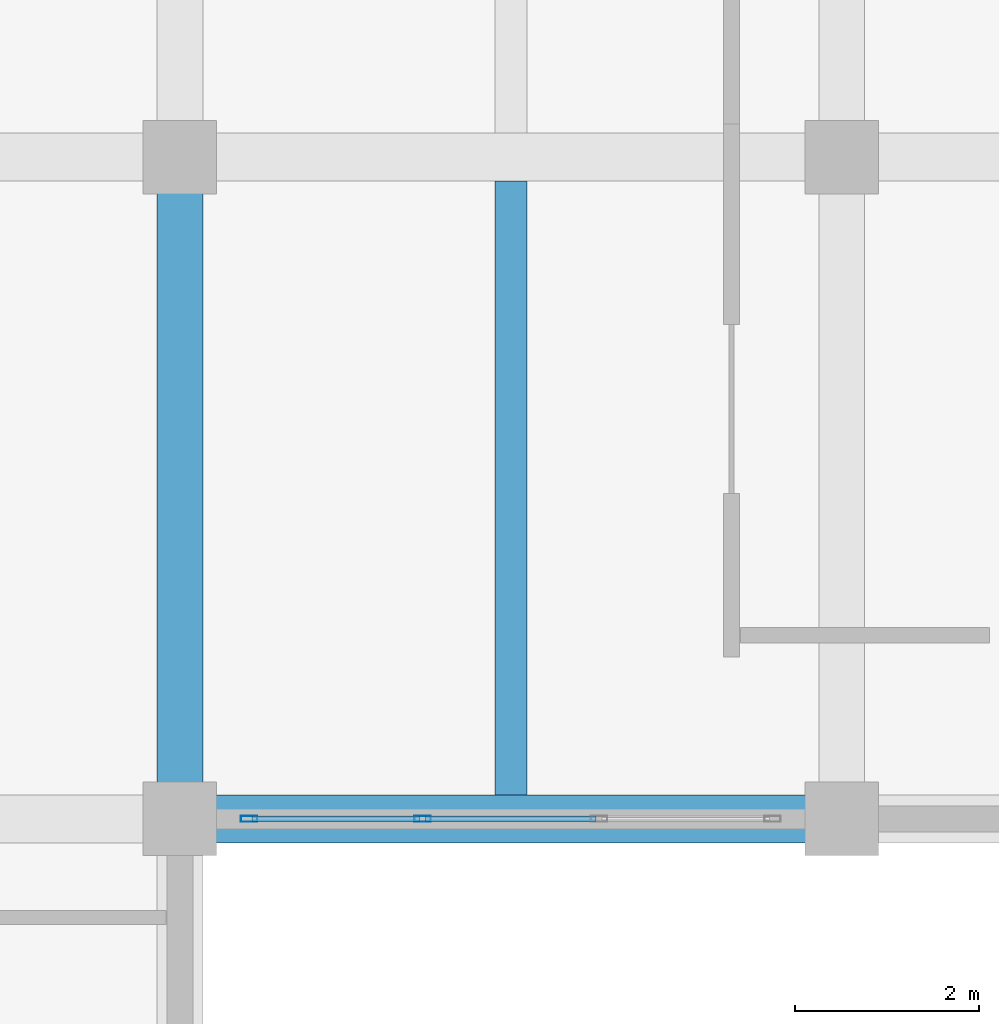
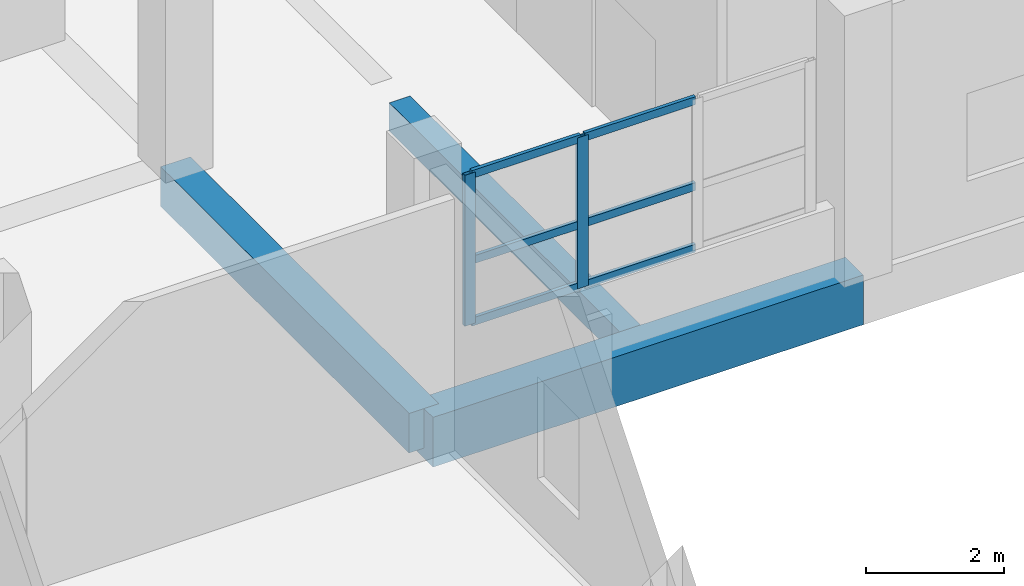
# One storey, part 62 of 140: 8 members, 3 beams, 1 element without a shape of its own.
"""IFC4 building model written with IfcOpenShell, lengths in metres."""

from ifc_helpers import new_model, si_unit, direction, frame, origin, origin_2d, place, context, subcontext, project, spatial, rectangle, hollow_rectangle, extrude, material, layer, layer_set, material_profile, profile_set, type_object, element, aggregate, save


model = new_model("IFC4")

# Units and contexts
model_context = context("Model", 3, precision=1e-05, world=origin(), true_north=direction((0.0, 1.0)))
body_context = subcontext(model_context, "Body", "Model", "MODEL_VIEW")
ifc_project = project(units=[si_unit("LENGTHUNIT", "METRE"), si_unit("AREAUNIT", "SQUARE_METRE"), si_unit("VOLUMEUNIT", "CUBIC_METRE"), si_unit("PLANEANGLEUNIT", "RADIAN"), si_unit("MASSUNIT", "GRAM", prefix="KILO")], contexts=[model_context])

# Site, building, storey
site_placement = place(None, origin())
site = spatial("IfcSite", under=ifc_project, at=site_placement, CompositionType="ELEMENT")
building_placement = place(site_placement, origin())
building = spatial("IfcBuilding", under=site, at=building_placement, Name="Seraya Terrace Polytechnic", CompositionType="ELEMENT")
storey_placement = place(building_placement, frame((0.0, 0.0, 9.60009765625)))
storey = spatial("IfcBuildingStorey", under=building, at=storey_placement, Name="L02", CompositionType="ELEMENT", Elevation=9.60009765625)

# Beams
ifc_material_1 = material(Name="Concrete C40/50", Category="concrete")
ifc_material_profile_1 = material_profile(ifc_material_1, rectangle(XDim=0.52001953125, YDim=0.8798828125, at=origin_2d()), Name="RC 520x880")
ifc_profile_set_1 = profile_set([ifc_material_profile_1], Name="Concrete C40/50")
beam_type_1 = type_object("IfcBeamType", Name="BM-04", PredefinedType="BEAM", material=ifc_profile_set_1)
beam_1_placement = place(storey_placement, frame((43.199951171875, 64.800048828125, -0.440185546875), z_axis=(1.0, 0.0, 0.0), x_axis=(0.0, 1.0, 0.0)))
element("IfcBeam", 1, at=beam_1_placement, inside=storey, type_object=beam_type_1, Name="Beam BM-04 L02 X (43.2..50.4, 64.8)", PredefinedType="BEAM", context=body_context, shape_type="SweptSolid", body=[
    extrude(rectangle(XDim=0.52001953125, YDim=0.8798828125, at=origin_2d()), origin(), (0.0, 0.0, 1.0), 7.199951171875),
])
ifc_material_profile_2 = material_profile(ifc_material_1, rectangle(XDim=0.5, YDim=0.699951171875, at=origin_2d()), Name="RC 500x700")
ifc_profile_set_2 = profile_set([ifc_material_profile_2], Name="Concrete C40/50")
beam_type_2 = type_object("IfcBeamType", Name="BM-07", PredefinedType="BEAM", material=ifc_profile_set_2)
beam_2_placement = place(storey_placement, frame((43.199951171875, 64.800048828125, -0.35009765625), z_axis=(0.0, 1.0, 0.0), x_axis=(-1.0, 0.0, 0.0)))
element("IfcBeam", 2, at=beam_2_placement, inside=storey, type_object=beam_type_2, Name="Beam BM-07 L02 Y (43.2, 64.8..72.0)", PredefinedType="BEAM", context=body_context, shape_type="SweptSolid", body=[
    extrude(rectangle(XDim=0.5, YDim=0.699951171875, at=origin_2d()), origin(), (0.0, 0.0, 1.0), 7.199951171875),
])

# Curtain wall, members
ifc_material_2 = material(Name="Anodised aluminium EN AW-6063 T6", Category="aluminium")
ifc_layer = layer(ifc_material_2, 0.179931640625, Name="CW-13")
ifc_layer_set = layer_set([ifc_layer], Name="Anodised aluminium EN AW-6063 T6")
curtain_wall_type = type_object("IfcCurtainWallType", Name="CW-13", PredefinedType="NOTDEFINED", material=ifc_layer_set)
curtain_wall_placement = place(storey_placement, origin())
curtain_wall = element("IfcCurtainWall", 3, at=curtain_wall_placement, inside=storey, type_object=curtain_wall_type, Name="Unitised curtain wall CW-13 (CW-L02-085)", PredefinedType="NOTDEFINED")
ifc_material_profile_3 = material_profile(ifc_material_2, hollow_rectangle(XDim=0.06494140625, YDim=0.179931640625, WallThickness=0.00390625, at=origin_2d()), Name="RHS 180x65x4.0")
ifc_profile_set_3 = profile_set([ifc_material_profile_3], Name="Anodised aluminium EN AW-6063 T6")
member_type_1 = type_object("IfcMemberType", Name="CWM-01", PredefinedType="MULLION", material=ifc_profile_set_3)
member_1_placement = place(storey_placement, frame((45.840087890625, 64.800048828125, 1.239990234375), z_axis=(0.0, 0.0, 1.0), x_axis=(0.0, -1.0, 0.0)))
member_1 = element("IfcMember", 4, at=member_1_placement, type_object=member_type_1, Name="CW-13 mullion 3", PredefinedType="MULLION", context=body_context, shape_type="SweptSolid", body=[
    extrude(hollow_rectangle(XDim=0.06494140625, YDim=0.179931640625, WallThickness=0.00390625, at=origin_2d()), origin(), (0.0, 0.0, 1.0), 2.669921875),
])
member_2_placement = place(storey_placement, frame((43.952392578125, 64.800048828125, 1.239990234375), z_axis=(0.0, 0.0, 1.0), x_axis=(0.0, -1.0, 0.0)))
member_2 = element("IfcMember", 5, at=member_2_placement, type_object=member_type_1, Name="CW-13 mullion 4", PredefinedType="MULLION", context=body_context, shape_type="SweptSolid", body=[
    extrude(hollow_rectangle(XDim=0.06494140625, YDim=0.179931640625, WallThickness=0.00390625, at=origin_2d()), origin(), (0.0, 0.0, 1.0), 2.669921875),
])
ifc_material_profile_4 = material_profile(ifc_material_2, hollow_rectangle(XDim=0.06005859375, YDim=0.139892578125, WallThickness=0.00341796875, at=origin_2d()), Name="RHS 140x60x3.5")
ifc_profile_set_4 = profile_set([ifc_material_profile_4], Name="Anodised aluminium EN AW-6063 T6")
member_type_2 = type_object("IfcMemberType", Name="CWT-01", PredefinedType="USERDEFINED", material=ifc_profile_set_4)
member_3_placement = place(storey_placement, frame((47.7275390625, 64.800048828125, 1.27001953125), z_axis=(-1.0, 0.0, 0.0), x_axis=(0.0, -1.0, 0.0)))
member_3 = element("IfcMember", 6, at=member_3_placement, type_object=member_type_2, Name="CW-13 transom 2.1", ObjectType="TRANSOM", PredefinedType="USERDEFINED", context=body_context, shape_type="SweptSolid", body=[
    extrude(hollow_rectangle(XDim=0.06005859375, YDim=0.139892578125, WallThickness=0.00341796875, at=origin_2d()), origin(), (0.0, 0.0, 1.0), 1.85498046875),
])
member_4_placement = place(storey_placement, frame((47.7275390625, 64.800048828125, 2.361328125), z_axis=(-1.0, 0.0, 0.0), x_axis=(0.0, -1.0, 0.0)))
member_4 = element("IfcMember", 7, at=member_4_placement, type_object=member_type_2, Name="CW-13 transom 2.2", ObjectType="TRANSOM", PredefinedType="USERDEFINED", context=body_context, shape_type="SweptSolid", body=[
    extrude(hollow_rectangle(XDim=0.06005859375, YDim=0.139892578125, WallThickness=0.00341796875, at=origin_2d()), origin(), (0.0, 0.0, 1.0), 1.85498046875),
])
member_5_placement = place(storey_placement, frame((47.7275390625, 64.800048828125, 3.8798828125), z_axis=(-1.0, 0.0, 0.0), x_axis=(0.0, -1.0, 0.0)))
member_5 = element("IfcMember", 8, at=member_5_placement, type_object=member_type_2, Name="CW-13 transom 2.3", ObjectType="TRANSOM", PredefinedType="USERDEFINED", context=body_context, shape_type="SweptSolid", body=[
    extrude(hollow_rectangle(XDim=0.06005859375, YDim=0.139892578125, WallThickness=0.00341796875, at=origin_2d()), origin(), (0.0, 0.0, 1.0), 1.85498046875),
])
member_6_placement = place(storey_placement, frame((45.8076171875, 64.800048828125, 1.27001953125), z_axis=(-1.0, 0.0, 0.0), x_axis=(0.0, -1.0, 0.0)))
member_6 = element("IfcMember", 9, at=member_6_placement, type_object=member_type_2, Name="CW-13 transom 3.1", ObjectType="TRANSOM", PredefinedType="USERDEFINED", context=body_context, shape_type="SweptSolid", body=[
    extrude(hollow_rectangle(XDim=0.06005859375, YDim=0.139892578125, WallThickness=0.00341796875, at=origin_2d()), origin(), (0.0, 0.0, 1.0), 1.822509765625),
])
member_7_placement = place(storey_placement, frame((45.8076171875, 64.800048828125, 2.361328125), z_axis=(-1.0, 0.0, 0.0), x_axis=(0.0, -1.0, 0.0)))
member_7 = element("IfcMember", 10, at=member_7_placement, type_object=member_type_2, Name="CW-13 transom 3.2", ObjectType="TRANSOM", PredefinedType="USERDEFINED", context=body_context, shape_type="SweptSolid", body=[
    extrude(hollow_rectangle(XDim=0.06005859375, YDim=0.139892578125, WallThickness=0.00341796875, at=origin_2d()), origin(), (0.0, 0.0, 1.0), 1.822509765625),
])
member_8_placement = place(storey_placement, frame((45.8076171875, 64.800048828125, 3.8798828125), z_axis=(-1.0, 0.0, 0.0), x_axis=(0.0, -1.0, 0.0)))
member_8 = element("IfcMember", 11, at=member_8_placement, type_object=member_type_2, Name="CW-13 transom 3.3", ObjectType="TRANSOM", PredefinedType="USERDEFINED", context=body_context, shape_type="SweptSolid", body=[
    extrude(hollow_rectangle(XDim=0.06005859375, YDim=0.139892578125, WallThickness=0.00341796875, at=origin_2d()), origin(), (0.0, 0.0, 1.0), 1.822509765625),
])
aggregate(curtain_wall, [member_1, member_2, member_3, member_4, member_5, member_6, member_7, member_8])

# Beam
ifc_material_profile_5 = material_profile(ifc_material_1, rectangle(XDim=0.35009765625, YDim=0.5, at=origin_2d()), Name="RC 350x500")
ifc_profile_set_5 = profile_set([ifc_material_profile_5], Name="Concrete C40/50")
beam_type_3 = type_object("IfcBeamType", Name="JS-03", PredefinedType="JOIST", material=ifc_profile_set_5)
beam_3_placement = place(storey_placement, frame((46.800048828125, 65.06005859375, -0.25), z_axis=(0.0, 1.0, 0.0), x_axis=(-1.0, 0.0, 0.0)))
element("IfcBeam", 12, at=beam_3_placement, inside=storey, type_object=beam_type_3, Name="Secondary joist JS-03 L02", PredefinedType="JOIST", context=body_context, shape_type="SweptSolid", body=[
    extrude(rectangle(XDim=0.35009765625, YDim=0.5, at=origin_2d()), origin(), (0.0, 0.0, 1.0), 6.679931640625),
])

save(model, "model.ifc")
